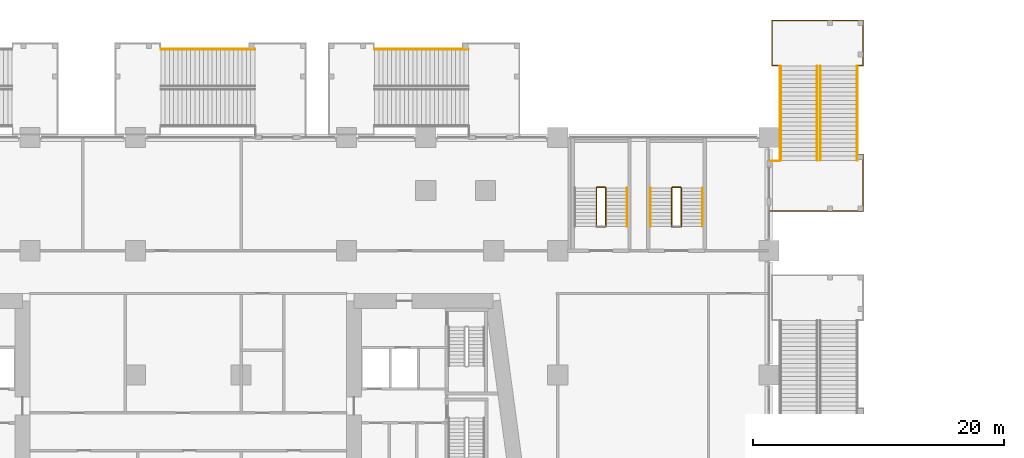
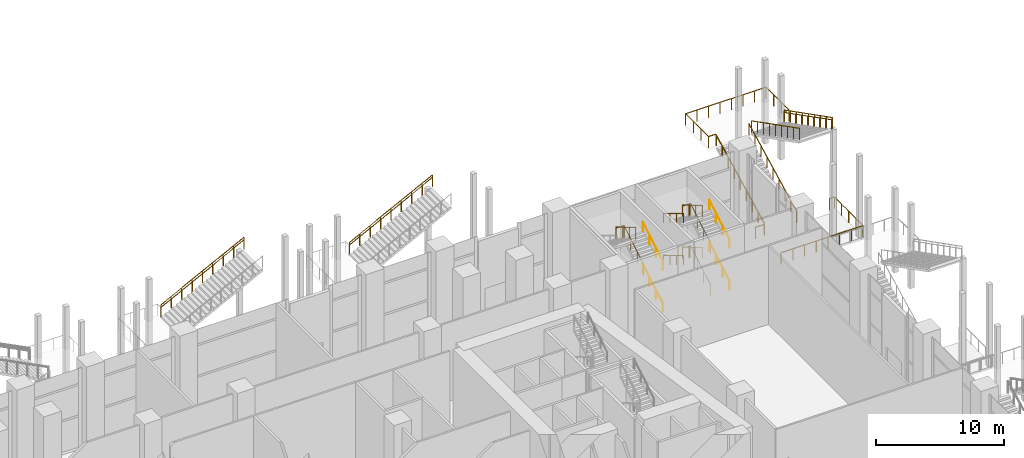
# One storey, part 49 of 52: 22 railings.
"""IFC4 building model written with IfcOpenShell, lengths in metres."""

from ifc_helpers import new_model, si_unit, direction, frame, origin, origin_2d, place, context, subcontext, project, spatial, circle, extrude, material, type_object, element, save


model = new_model("IFC4")

# Units and contexts
model_context = context("Model", 3, precision=1e-05, world=origin(), true_north=direction((0.0, 1.0)))
body_context = subcontext(model_context, "Body", "Model", "MODEL_VIEW")
ifc_project = project(units=[si_unit("LENGTHUNIT", "METRE"), si_unit("AREAUNIT", "SQUARE_METRE"), si_unit("VOLUMEUNIT", "CUBIC_METRE"), si_unit("PLANEANGLEUNIT", "RADIAN"), si_unit("MASSUNIT", "GRAM", prefix="KILO")], contexts=[model_context])

# Site, building, storey
site_placement = place(None, origin())
site = spatial("IfcSite", under=ifc_project, at=site_placement, CompositionType="ELEMENT")
building_placement = place(site_placement, origin())
building = spatial("IfcBuilding", under=site, at=building_placement, Name="Candeia Pilgrim Tower and Theatre", CompositionType="ELEMENT")
storey_placement = place(building_placement, frame((0.0, 0.0, 9.0)))
storey = spatial("IfcBuildingStorey", under=building, at=storey_placement, Name="L01", CompositionType="ELEMENT", Elevation=9.0)

# Railings
ifc_material_1 = material(Name="Stainless steel balustrade", Category="steel")
railing_type_1 = type_object("IfcRailingType", Name="RL-GUARD-1100", PredefinedType="GUARDRAIL", material=ifc_material_1)
railing_1_placement = place(storey_placement, frame((146.625, 137.72509765625, 4.166748046875)))
element("IfcRailing", 1, at=railing_1_placement, inside=storey, type_object=railing_type_1, Name="L01 PS3 stair guard 3", PredefinedType="GUARDRAIL", context=body_context, shape_type="SweptSolid", body=[
    extrude(circle(Radius=0.02392578125, at=origin_2d()), frame((0.0, 0.0, 1.076171875), z_axis=(0.0, 0.859290745958, 0.51148745235), x_axis=(-1.0, 0.0, 0.0)), (0.0, 0.0, 1.0), 3.584228515625),
    extrude(circle(Radius=0.02392578125, at=origin_2d()), frame((0.0, 3.079833984375, 2.9091796875), z_axis=(-0.707106781187, 0.707106781187, 0.0), x_axis=(-0.707106781187, -0.707106781187, 0.0)), (0.0, 0.0, 1.0), 0.07080078125),
    extrude(circle(Radius=0.02392578125, at=origin_2d()), frame((-0.050048828125, 3.1298828125, 2.9091796875), z_axis=(-1.0, 0.0, 0.0), x_axis=(0.0, -1.0, 0.0)), (0.0, 0.0, 1.0), 0.64990234375),
    extrude(circle(Radius=0.02392578125, at=origin_2d()), frame((-0.699951171875, 3.1298828125, 2.9091796875), z_axis=(-0.27628659633, -0.27628659633, 0.920506074601), x_axis=(0.707106781187, -0.707106781187, 0.0)), (0.0, 0.0, 1.0), 0.18115234375),
    extrude(circle(Radius=0.02392578125, at=origin_2d()), frame((-0.75, 3.079833984375, 3.076171875), z_axis=(0.0, -0.859290745958, 0.51148745235), x_axis=(1.0, 0.0, 0.0)), (0.0, 0.0, 1.0), 3.584228515625),
    extrude(circle(Radius=0.02099609375, at=origin_2d()), origin(), (0.0, 0.0, 1.0), 1.052001953125),
    extrude(circle(Radius=0.02099609375, at=origin_2d()), frame((0.0, 1.026611328125, 0.611083984375)), (0.0, 0.0, 1.0), 1.052001953125),
    extrude(circle(Radius=0.02099609375, at=origin_2d()), frame((0.0, 2.05322265625, 1.22216796875)), (0.0, 0.0, 1.0), 1.052001953125),
    extrude(circle(Radius=0.02099609375, at=origin_2d()), frame((0.0, 3.079833984375, 1.833251953125)), (0.0, 0.0, 1.0), 1.052001953125),
    extrude(circle(Radius=0.02099609375, at=origin_2d()), frame((-0.050048828125, 3.1298828125, 1.833251953125)), (0.0, 0.0, 1.0), 1.052001953125),
    extrude(circle(Radius=0.02099609375, at=origin_2d()), frame((-0.699951171875, 3.1298828125, 1.833251953125)), (0.0, 0.0, 1.0), 1.052001953125),
    extrude(circle(Radius=0.02099609375, at=origin_2d()), frame((-0.75, 3.079833984375, 2.0)), (0.0, 0.0, 1.0), 1.052001953125),
    extrude(circle(Radius=0.02099609375, at=origin_2d()), frame((-0.75, 2.05322265625, 2.611083984375)), (0.0, 0.0, 1.0), 1.052001953125),
    extrude(circle(Radius=0.02099609375, at=origin_2d()), frame((-0.75, 1.026611328125, 3.22216796875)), (0.0, 0.0, 1.0), 1.052001953125),
    extrude(circle(Radius=0.02099609375, at=origin_2d()), frame((-0.75, 0.0, 3.833251953125)), (0.0, 0.0, 1.0), 1.052001953125),
])
railing_2_placement = place(storey_placement, frame((152.625, 137.72509765625, 0.166748046875)))
element("IfcRailing", 2, at=railing_2_placement, inside=storey, type_object=railing_type_1, Name="L01 PS4 stair guard 1", PredefinedType="GUARDRAIL", context=body_context, shape_type="SweptSolid", body=[
    extrude(circle(Radius=0.02392578125, at=origin_2d()), frame((0.0, 0.0, 1.076171875), z_axis=(0.0, 0.859290745958, 0.51148745235), x_axis=(-1.0, 0.0, 0.0)), (0.0, 0.0, 1.0), 3.584228515625),
    extrude(circle(Radius=0.02392578125, at=origin_2d()), frame((0.0, 3.079833984375, 2.9091796875), z_axis=(-0.707106781187, 0.707106781187, 0.0), x_axis=(-0.707106781187, -0.707106781187, 0.0)), (0.0, 0.0, 1.0), 0.07080078125),
    extrude(circle(Radius=0.02392578125, at=origin_2d()), frame((-0.050048828125, 3.1298828125, 2.9091796875), z_axis=(-1.0, 0.0, 0.0), x_axis=(0.0, -1.0, 0.0)), (0.0, 0.0, 1.0), 0.64990234375),
    extrude(circle(Radius=0.02392578125, at=origin_2d()), frame((-0.699951171875, 3.1298828125, 2.9091796875), z_axis=(-0.27628659633, -0.27628659633, 0.920506074601), x_axis=(0.707106781187, -0.707106781187, 0.0)), (0.0, 0.0, 1.0), 0.18115234375),
    extrude(circle(Radius=0.02392578125, at=origin_2d()), frame((-0.75, 3.079833984375, 3.076171875), z_axis=(0.0, -0.859290745958, 0.51148745235), x_axis=(1.0, 0.0, 0.0)), (0.0, 0.0, 1.0), 3.584228515625),
    extrude(circle(Radius=0.02099609375, at=origin_2d()), origin(), (0.0, 0.0, 1.0), 1.052001953125),
    extrude(circle(Radius=0.02099609375, at=origin_2d()), frame((0.0, 1.026611328125, 0.611083984375)), (0.0, 0.0, 1.0), 1.052001953125),
    extrude(circle(Radius=0.02099609375, at=origin_2d()), frame((0.0, 2.05322265625, 1.22216796875)), (0.0, 0.0, 1.0), 1.052001953125),
    extrude(circle(Radius=0.02099609375, at=origin_2d()), frame((0.0, 3.079833984375, 1.833251953125)), (0.0, 0.0, 1.0), 1.052001953125),
    extrude(circle(Radius=0.02099609375, at=origin_2d()), frame((-0.050048828125, 3.1298828125, 1.833251953125)), (0.0, 0.0, 1.0), 1.052001953125),
    extrude(circle(Radius=0.02099609375, at=origin_2d()), frame((-0.699951171875, 3.1298828125, 1.833251953125)), (0.0, 0.0, 1.0), 1.052001953125),
    extrude(circle(Radius=0.02099609375, at=origin_2d()), frame((-0.75, 3.079833984375, 2.0)), (0.0, 0.0, 1.0), 1.052001953125),
    extrude(circle(Radius=0.02099609375, at=origin_2d()), frame((-0.75, 2.05322265625, 2.611083984375)), (0.0, 0.0, 1.0), 1.052001953125),
    extrude(circle(Radius=0.02099609375, at=origin_2d()), frame((-0.75, 1.026611328125, 3.22216796875)), (0.0, 0.0, 1.0), 1.052001953125),
    extrude(circle(Radius=0.02099609375, at=origin_2d()), frame((-0.75, 0.0, 3.833251953125)), (0.0, 0.0, 1.0), 1.052001953125),
])
railing_3_placement = place(storey_placement, frame((152.625, 137.72509765625, 4.166748046875)))
element("IfcRailing", 3, at=railing_3_placement, inside=storey, type_object=railing_type_1, Name="L01 PS4 stair guard 3", PredefinedType="GUARDRAIL", context=body_context, shape_type="SweptSolid", body=[
    extrude(circle(Radius=0.02392578125, at=origin_2d()), frame((0.0, 0.0, 1.076171875), z_axis=(0.0, 0.859290745958, 0.51148745235), x_axis=(-1.0, 0.0, 0.0)), (0.0, 0.0, 1.0), 3.584228515625),
    extrude(circle(Radius=0.02392578125, at=origin_2d()), frame((0.0, 3.079833984375, 2.9091796875), z_axis=(-0.707106781187, 0.707106781187, 0.0), x_axis=(-0.707106781187, -0.707106781187, 0.0)), (0.0, 0.0, 1.0), 0.07080078125),
    extrude(circle(Radius=0.02392578125, at=origin_2d()), frame((-0.050048828125, 3.1298828125, 2.9091796875), z_axis=(-1.0, 0.0, 0.0), x_axis=(0.0, -1.0, 0.0)), (0.0, 0.0, 1.0), 0.64990234375),
    extrude(circle(Radius=0.02392578125, at=origin_2d()), frame((-0.699951171875, 3.1298828125, 2.9091796875), z_axis=(-0.27628659633, -0.27628659633, 0.920506074601), x_axis=(0.707106781187, -0.707106781187, 0.0)), (0.0, 0.0, 1.0), 0.18115234375),
    extrude(circle(Radius=0.02392578125, at=origin_2d()), frame((-0.75, 3.079833984375, 3.076171875), z_axis=(0.0, -0.859290745958, 0.51148745235), x_axis=(1.0, 0.0, 0.0)), (0.0, 0.0, 1.0), 3.584228515625),
    extrude(circle(Radius=0.02099609375, at=origin_2d()), origin(), (0.0, 0.0, 1.0), 1.052001953125),
    extrude(circle(Radius=0.02099609375, at=origin_2d()), frame((0.0, 1.026611328125, 0.611083984375)), (0.0, 0.0, 1.0), 1.052001953125),
    extrude(circle(Radius=0.02099609375, at=origin_2d()), frame((0.0, 2.05322265625, 1.22216796875)), (0.0, 0.0, 1.0), 1.052001953125),
    extrude(circle(Radius=0.02099609375, at=origin_2d()), frame((0.0, 3.079833984375, 1.833251953125)), (0.0, 0.0, 1.0), 1.052001953125),
    extrude(circle(Radius=0.02099609375, at=origin_2d()), frame((-0.050048828125, 3.1298828125, 1.833251953125)), (0.0, 0.0, 1.0), 1.052001953125),
    extrude(circle(Radius=0.02099609375, at=origin_2d()), frame((-0.699951171875, 3.1298828125, 1.833251953125)), (0.0, 0.0, 1.0), 1.052001953125),
    extrude(circle(Radius=0.02099609375, at=origin_2d()), frame((-0.75, 3.079833984375, 2.0)), (0.0, 0.0, 1.0), 1.052001953125),
    extrude(circle(Radius=0.02099609375, at=origin_2d()), frame((-0.75, 2.05322265625, 2.611083984375)), (0.0, 0.0, 1.0), 1.052001953125),
    extrude(circle(Radius=0.02099609375, at=origin_2d()), frame((-0.75, 1.026611328125, 3.22216796875)), (0.0, 0.0, 1.0), 1.052001953125),
    extrude(circle(Radius=0.02099609375, at=origin_2d()), frame((-0.75, 0.0, 3.833251953125)), (0.0, 0.0, 1.0), 1.052001953125),
])
railing_4_placement = place(storey_placement, frame((163.449951171875, 143.0, 0.173828125)))
element("IfcRailing", 4, at=railing_4_placement, inside=storey, type_object=railing_type_1, Name="L01 ES2 stair guard 1", PredefinedType="GUARDRAIL", context=body_context, shape_type="SweptSolid", body=[
    extrude(circle(Radius=0.02392578125, at=origin_2d()), frame((0.0, 0.0, 1.076171875), z_axis=(0.0, 0.890286522184, 0.455400821714), x_axis=(-1.0, 0.0, 0.0)), (0.0, 0.0, 1.0), 8.40185546875),
    extrude(circle(Radius=0.02099609375, at=origin_2d()), origin(), (0.0, 0.0, 1.0), 1.052001953125),
    extrude(circle(Radius=0.02099609375, at=origin_2d()), frame((0.0, 0.93505859375, 0.478271484375)), (0.0, 0.0, 1.0), 1.052001953125),
    extrude(circle(Radius=0.02099609375, at=origin_2d()), frame((0.0, 1.8701171875, 0.95654296875)), (0.0, 0.0, 1.0), 1.052001953125),
    extrude(circle(Radius=0.02099609375, at=origin_2d()), frame((0.0, 2.804931640625, 1.434814453125)), (0.0, 0.0, 1.0), 1.052001953125),
    extrude(circle(Radius=0.02099609375, at=origin_2d()), frame((0.0, 3.739990234375, 1.9130859375)), (0.0, 0.0, 1.0), 1.052001953125),
    extrude(circle(Radius=0.02099609375, at=origin_2d()), frame((0.0, 4.675048828125, 2.391357421875)), (0.0, 0.0, 1.0), 1.052001953125),
    extrude(circle(Radius=0.02099609375, at=origin_2d()), frame((0.0, 5.60986328125, 2.86962890625)), (0.0, 0.0, 1.0), 1.052001953125),
    extrude(circle(Radius=0.02099609375, at=origin_2d()), frame((0.0, 6.544921875, 3.347900390625)), (0.0, 0.0, 1.0), 1.052001953125),
    extrude(circle(Radius=0.02099609375, at=origin_2d()), frame((0.0, 7.47998046875, 3.826171875)), (0.0, 0.0, 1.0), 1.052001953125),
])
railing_5_placement = place(storey_placement, frame((163.699951171875, 150.47998046875, 4.173828125)))
element("IfcRailing", 5, at=railing_5_placement, inside=storey, type_object=railing_type_1, Name="L01 ES2 stair guard 2", PredefinedType="GUARDRAIL", context=body_context, shape_type="SweptSolid", body=[
    extrude(circle(Radius=0.02392578125, at=origin_2d()), frame((0.0, 0.0, 1.076171875), z_axis=(0.0, -0.890286522184, 0.455400821714), x_axis=(1.0, 0.0, 0.0)), (0.0, 0.0, 1.0), 8.40185546875),
    extrude(circle(Radius=0.02099609375, at=origin_2d()), origin(), (0.0, 0.0, 1.0), 1.052001953125),
    extrude(circle(Radius=0.02099609375, at=origin_2d()), frame((0.0, -0.93505859375, 0.478271484375)), (0.0, 0.0, 1.0), 1.052001953125),
    extrude(circle(Radius=0.02099609375, at=origin_2d()), frame((0.0, -1.8701171875, 0.95654296875)), (0.0, 0.0, 1.0), 1.052001953125),
    extrude(circle(Radius=0.02099609375, at=origin_2d()), frame((0.0, -2.804931640625, 1.434814453125)), (0.0, 0.0, 1.0), 1.052001953125),
    extrude(circle(Radius=0.02099609375, at=origin_2d()), frame((0.0, -3.739990234375, 1.9130859375)), (0.0, 0.0, 1.0), 1.052001953125),
    extrude(circle(Radius=0.02099609375, at=origin_2d()), frame((0.0, -4.675048828125, 2.391357421875)), (0.0, 0.0, 1.0), 1.052001953125),
    extrude(circle(Radius=0.02099609375, at=origin_2d()), frame((0.0, -5.60986328125, 2.86962890625)), (0.0, 0.0, 1.0), 1.052001953125),
    extrude(circle(Radius=0.02099609375, at=origin_2d()), frame((0.0, -6.544921875, 3.347900390625)), (0.0, 0.0, 1.0), 1.052001953125),
    extrude(circle(Radius=0.02099609375, at=origin_2d()), frame((0.0, -7.47998046875, 3.826171875)), (0.0, 0.0, 1.0), 1.052001953125),
])
railing_6_placement = place(storey_placement, frame((160.5, 143.0, 0.173828125)))
element("IfcRailing", 6, at=railing_6_placement, inside=storey, type_object=railing_type_1, Name="L01 ES2 stair guard 3", PredefinedType="GUARDRAIL", context=body_context, shape_type="SweptSolid", body=[
    extrude(circle(Radius=0.02392578125, at=origin_2d()), frame((0.0, 0.0, 1.076171875), z_axis=(0.0, 0.890286522184, 0.455400821714), x_axis=(-1.0, 0.0, 0.0)), (0.0, 0.0, 1.0), 8.40185546875),
    extrude(circle(Radius=0.02099609375, at=origin_2d()), origin(), (0.0, 0.0, 1.0), 1.052001953125),
    extrude(circle(Radius=0.02099609375, at=origin_2d()), frame((0.0, 0.93505859375, 0.478271484375)), (0.0, 0.0, 1.0), 1.052001953125),
    extrude(circle(Radius=0.02099609375, at=origin_2d()), frame((0.0, 1.8701171875, 0.95654296875)), (0.0, 0.0, 1.0), 1.052001953125),
    extrude(circle(Radius=0.02099609375, at=origin_2d()), frame((0.0, 2.804931640625, 1.434814453125)), (0.0, 0.0, 1.0), 1.052001953125),
    extrude(circle(Radius=0.02099609375, at=origin_2d()), frame((0.0, 3.739990234375, 1.9130859375)), (0.0, 0.0, 1.0), 1.052001953125),
    extrude(circle(Radius=0.02099609375, at=origin_2d()), frame((0.0, 4.675048828125, 2.391357421875)), (0.0, 0.0, 1.0), 1.052001953125),
    extrude(circle(Radius=0.02099609375, at=origin_2d()), frame((0.0, 5.60986328125, 2.86962890625)), (0.0, 0.0, 1.0), 1.052001953125),
    extrude(circle(Radius=0.02099609375, at=origin_2d()), frame((0.0, 6.544921875, 3.347900390625)), (0.0, 0.0, 1.0), 1.052001953125),
    extrude(circle(Radius=0.02099609375, at=origin_2d()), frame((0.0, 7.47998046875, 3.826171875)), (0.0, 0.0, 1.0), 1.052001953125),
])
railing_7_placement = place(storey_placement, frame((166.64990234375, 150.47998046875, 4.173828125)))
element("IfcRailing", 7, at=railing_7_placement, inside=storey, type_object=railing_type_1, Name="L01 ES2 stair guard 4", PredefinedType="GUARDRAIL", context=body_context, shape_type="SweptSolid", body=[
    extrude(circle(Radius=0.02392578125, at=origin_2d()), frame((0.0, 0.0, 1.076171875), z_axis=(0.0, -0.890286522184, 0.455400821714), x_axis=(1.0, 0.0, 0.0)), (0.0, 0.0, 1.0), 8.40185546875),
    extrude(circle(Radius=0.02099609375, at=origin_2d()), origin(), (0.0, 0.0, 1.0), 1.052001953125),
    extrude(circle(Radius=0.02099609375, at=origin_2d()), frame((0.0, -0.93505859375, 0.478271484375)), (0.0, 0.0, 1.0), 1.052001953125),
    extrude(circle(Radius=0.02099609375, at=origin_2d()), frame((0.0, -1.8701171875, 0.95654296875)), (0.0, 0.0, 1.0), 1.052001953125),
    extrude(circle(Radius=0.02099609375, at=origin_2d()), frame((0.0, -2.804931640625, 1.434814453125)), (0.0, 0.0, 1.0), 1.052001953125),
    extrude(circle(Radius=0.02099609375, at=origin_2d()), frame((0.0, -3.739990234375, 1.9130859375)), (0.0, 0.0, 1.0), 1.052001953125),
    extrude(circle(Radius=0.02099609375, at=origin_2d()), frame((0.0, -4.675048828125, 2.391357421875)), (0.0, 0.0, 1.0), 1.052001953125),
    extrude(circle(Radius=0.02099609375, at=origin_2d()), frame((0.0, -5.60986328125, 2.86962890625)), (0.0, 0.0, 1.0), 1.052001953125),
    extrude(circle(Radius=0.02099609375, at=origin_2d()), frame((0.0, -6.544921875, 3.347900390625)), (0.0, 0.0, 1.0), 1.052001953125),
    extrude(circle(Radius=0.02099609375, at=origin_2d()), frame((0.0, -7.47998046875, 3.826171875)), (0.0, 0.0, 1.0), 1.052001953125),
])
railing_8_placement = place(storey_placement, frame((160.5, 150.530029296875, 4.0)))
element("IfcRailing", 8, at=railing_8_placement, inside=storey, type_object=railing_type_1, Name="L01 ES2 stair guard 5", PredefinedType="GUARDRAIL", context=body_context, shape_type="SweptSolid", body=[
    extrude(circle(Radius=0.02392578125, at=origin_2d()), frame((0.0, 0.0, 1.076171875), z_axis=(-1.0, 0.0, 0.0), x_axis=(0.0, -1.0, 0.0)), (0.0, 0.0, 1.0), 0.64990234375),
    extrude(circle(Radius=0.02392578125, at=origin_2d()), frame((-0.64990234375, 0.0, 1.076171875), z_axis=(0.0, 1.0, 0.0), x_axis=(-1.0, 0.0, 0.0)), (0.0, 0.0, 1.0), 3.580078125),
    extrude(circle(Radius=0.02392578125, at=origin_2d()), frame((-0.64990234375, 3.580078125, 1.076171875), z_axis=(1.0, 0.0, 0.0), x_axis=(0.0, 1.0, 0.0)), (0.0, 0.0, 1.0), 7.25),
    extrude(circle(Radius=0.02392578125, at=origin_2d()), frame((6.60009765625, 3.580078125, 1.076171875), z_axis=(0.0, -1.0, 0.0), x_axis=(1.0, 0.0, 0.0)), (0.0, 0.0, 1.0), 3.580078125),
    extrude(circle(Radius=0.02392578125, at=origin_2d()), frame((6.60009765625, 0.0, 1.076171875), z_axis=(-1.0, 0.0, 0.0), x_axis=(0.0, -1.0, 0.0)), (0.0, 0.0, 1.0), 0.4501953125),
    extrude(circle(Radius=0.02099609375, at=origin_2d()), origin(), (0.0, 0.0, 1.0), 1.052001953125),
    extrude(circle(Radius=0.02099609375, at=origin_2d()), frame((-0.64990234375, 0.0, 0.0)), (0.0, 0.0, 1.0), 1.052001953125),
    extrude(circle(Radius=0.02099609375, at=origin_2d()), frame((-0.64990234375, 1.193359375, 0.0)), (0.0, 0.0, 1.0), 1.052001953125),
    extrude(circle(Radius=0.02099609375, at=origin_2d()), frame((-0.64990234375, 2.38671875, 0.0)), (0.0, 0.0, 1.0), 1.052001953125),
    extrude(circle(Radius=0.02099609375, at=origin_2d()), frame((-0.64990234375, 3.580078125, 0.0)), (0.0, 0.0, 1.0), 1.052001953125),
    extrude(circle(Radius=0.02099609375, at=origin_2d()), frame((0.3857421875, 3.580078125, 0.0)), (0.0, 0.0, 1.0), 1.052001953125),
    extrude(circle(Radius=0.02099609375, at=origin_2d()), frame((1.421630859375, 3.580078125, 0.0)), (0.0, 0.0, 1.0), 1.052001953125),
    extrude(circle(Radius=0.02099609375, at=origin_2d()), frame((2.457275390625, 3.580078125, 0.0)), (0.0, 0.0, 1.0), 1.052001953125),
    extrude(circle(Radius=0.02099609375, at=origin_2d()), frame((3.492919921875, 3.580078125, 0.0)), (0.0, 0.0, 1.0), 1.052001953125),
    extrude(circle(Radius=0.02099609375, at=origin_2d()), frame((4.528564453125, 3.580078125, 0.0)), (0.0, 0.0, 1.0), 1.052001953125),
    extrude(circle(Radius=0.02099609375, at=origin_2d()), frame((5.564453125, 3.580078125, 0.0)), (0.0, 0.0, 1.0), 1.052001953125),
    extrude(circle(Radius=0.02099609375, at=origin_2d()), frame((6.60009765625, 3.580078125, 0.0)), (0.0, 0.0, 1.0), 1.052001953125),
    extrude(circle(Radius=0.02099609375, at=origin_2d()), frame((6.60009765625, 2.38671875, 0.0)), (0.0, 0.0, 1.0), 1.052001953125),
    extrude(circle(Radius=0.02099609375, at=origin_2d()), frame((6.60009765625, 1.193359375, 0.0)), (0.0, 0.0, 1.0), 1.052001953125),
    extrude(circle(Radius=0.02099609375, at=origin_2d()), frame((6.60009765625, 0.0, 0.0)), (0.0, 0.0, 1.0), 1.052001953125),
    extrude(circle(Radius=0.02099609375, at=origin_2d()), frame((6.14990234375, 0.0, 0.0)), (0.0, 0.0, 1.0), 1.052001953125),
])
railing_9_placement = place(storey_placement, frame((159.699951171875, 138.949951171875, 0.0)))
element("IfcRailing", 9, at=railing_9_placement, inside=storey, type_object=railing_type_1, Name="L01 External escape stair ES2 landing guard", PredefinedType="GUARDRAIL", context=body_context, shape_type="SweptSolid", body=[
    extrude(circle(Radius=0.02392578125, at=origin_2d()), frame((0.0, 0.0, 1.076171875), z_axis=(1.0, 0.0, 0.0), x_axis=(0.0, 1.0, 0.0)), (0.0, 0.0, 1.0), 7.400146484375),
    extrude(circle(Radius=0.02392578125, at=origin_2d()), frame((7.400146484375, 0.0, 1.076171875), z_axis=(0.0, 1.0, 0.0), x_axis=(-1.0, 0.0, 0.0)), (0.0, 0.0, 1.0), 4.5),
    extrude(circle(Radius=0.02392578125, at=origin_2d()), frame((7.400146484375, 4.5, 1.076171875), z_axis=(-1.0, 0.0, 0.0), x_axis=(0.0, -1.0, 0.0)), (0.0, 0.0, 1.0), 0.4501953125),
    extrude(circle(Radius=0.02099609375, at=origin_2d()), origin(), (0.0, 0.0, 1.0), 1.052001953125),
    extrude(circle(Radius=0.02099609375, at=origin_2d()), frame((1.05712890625, 0.0, 0.0)), (0.0, 0.0, 1.0), 1.052001953125),
    extrude(circle(Radius=0.02099609375, at=origin_2d()), frame((2.1142578125, 0.0, 0.0)), (0.0, 0.0, 1.0), 1.052001953125),
    extrude(circle(Radius=0.02099609375, at=origin_2d()), frame((3.17138671875, 0.0, 0.0)), (0.0, 0.0, 1.0), 1.052001953125),
    extrude(circle(Radius=0.02099609375, at=origin_2d()), frame((4.228759765625, 0.0, 0.0)), (0.0, 0.0, 1.0), 1.052001953125),
    extrude(circle(Radius=0.02099609375, at=origin_2d()), frame((5.285888671875, 0.0, 0.0)), (0.0, 0.0, 1.0), 1.052001953125),
    extrude(circle(Radius=0.02099609375, at=origin_2d()), frame((6.343017578125, 0.0, 0.0)), (0.0, 0.0, 1.0), 1.052001953125),
    extrude(circle(Radius=0.02099609375, at=origin_2d()), frame((7.400146484375, 0.0, 0.0)), (0.0, 0.0, 1.0), 1.052001953125),
    extrude(circle(Radius=0.02099609375, at=origin_2d()), frame((7.400146484375, 1.125, 0.0)), (0.0, 0.0, 1.0), 1.052001953125),
    extrude(circle(Radius=0.02099609375, at=origin_2d()), frame((7.400146484375, 2.25, 0.0)), (0.0, 0.0, 1.0), 1.052001953125),
    extrude(circle(Radius=0.02099609375, at=origin_2d()), frame((7.400146484375, 3.375, 0.0)), (0.0, 0.0, 1.0), 1.052001953125),
    extrude(circle(Radius=0.02099609375, at=origin_2d()), frame((7.400146484375, 4.5, 0.0)), (0.0, 0.0, 1.0), 1.052001953125),
    extrude(circle(Radius=0.02099609375, at=origin_2d()), frame((6.949951171875, 4.5, 0.0)), (0.0, 0.0, 1.0), 1.052001953125),
])
railing_10_placement = place(storey_placement, frame((159.699951171875, 142.949951171875, 0.0)))
element("IfcRailing", 10, at=railing_10_placement, inside=storey, type_object=railing_type_1, Name="L01 External escape stair ES2 bridge guard", PredefinedType="GUARDRAIL", context=body_context, shape_type="SweptSolid", body=[
    extrude(circle(Radius=0.02392578125, at=origin_2d()), frame((0.0, 0.0, 1.076171875), z_axis=(1.0, 0.0, 0.0), x_axis=(0.0, 1.0, 0.0)), (0.0, 0.0, 1.0), 0.800048828125),
    extrude(circle(Radius=0.02099609375, at=origin_2d()), origin(), (0.0, 0.0, 1.0), 1.052001953125),
    extrude(circle(Radius=0.02099609375, at=origin_2d()), frame((0.800048828125, 0.0, 0.0)), (0.0, 0.0, 1.0), 1.052001953125),
])
for number, where, name in (
    (11, (111.219970703125, 151.85009765625, 4.173828125), "L01 ES6 stair guard 4"),
    (12, (128.219970703125, 151.85009765625, 4.173828125), "L01 ES7 stair guard 4"),
):
    element("IfcRailing", number, at=place(storey_placement, frame(where)), inside=storey, type_object=railing_type_1, Name=name, PredefinedType="GUARDRAIL", context=body_context, shape_type="SweptSolid", body=[
        extrude(circle(Radius=0.02392578125, at=origin_2d()), frame((0.0, 0.0, 1.076171875), z_axis=(0.890286522184, 0.0, 0.455400821714), x_axis=(0.0, 1.0, 0.0)), (0.0, 0.0, 1.0), 8.40185546875),
        extrude(circle(Radius=0.02099609375, at=origin_2d()), origin(), (0.0, 0.0, 1.0), 1.052001953125),
        extrude(circle(Radius=0.02099609375, at=origin_2d()), frame((0.93505859375, 0.0, 0.478271484375)), (0.0, 0.0, 1.0), 1.052001953125),
        extrude(circle(Radius=0.02099609375, at=origin_2d()), frame((1.8701171875, 0.0, 0.95654296875)), (0.0, 0.0, 1.0), 1.052001953125),
        extrude(circle(Radius=0.02099609375, at=origin_2d()), frame((2.804931640625, 0.0, 1.434814453125)), (0.0, 0.0, 1.0), 1.052001953125),
        extrude(circle(Radius=0.02099609375, at=origin_2d()), frame((3.739990234375, 0.0, 1.9130859375)), (0.0, 0.0, 1.0), 1.052001953125),
        extrude(circle(Radius=0.02099609375, at=origin_2d()), frame((4.675048828125, 0.0, 2.391357421875)), (0.0, 0.0, 1.0), 1.052001953125),
        extrude(circle(Radius=0.02099609375, at=origin_2d()), frame((5.60986328125, 0.0, 2.86962890625)), (0.0, 0.0, 1.0), 1.052001953125),
        extrude(circle(Radius=0.02099609375, at=origin_2d()), frame((6.544921875, 0.0, 3.347900390625)), (0.0, 0.0, 1.0), 1.052001953125),
        extrude(circle(Radius=0.02099609375, at=origin_2d()), frame((7.47998046875, 0.0, 3.826171875)), (0.0, 0.0, 1.0), 1.052001953125),
    ])
ifc_material_2 = material(Name="Stainless steel handrail", Category="steel")
railing_type_2 = type_object("IfcRailingType", Name="RL-HANDRAIL-900", PredefinedType="HANDRAIL", material=ifc_material_2)
for number, where, name in (
    (13, (148.324951171875, 137.72509765625, 0.166748046875), "L01 PS3 stair handrail 1"),
    (14, (148.324951171875, 137.72509765625, 4.166748046875), "L01 PS3 stair handrail 3"),
    (15, (154.324951171875, 137.72509765625, 0.166748046875), "L01 PS4 stair handrail 1"),
):
    element("IfcRailing", number, at=place(storey_placement, frame(where)), inside=storey, type_object=railing_type_2, Name=name, PredefinedType="HANDRAIL", context=body_context, shape_type="SweptSolid", body=[
        extrude(circle(Radius=0.02392578125, at=origin_2d()), frame((0.0, 0.0, 0.8759765625), z_axis=(0.0, 0.859290745958, 0.51148745235), x_axis=(-1.0, 0.0, 0.0)), (0.0, 0.0, 1.0), 3.584228515625),
        extrude(circle(Radius=0.02099609375, at=origin_2d()), origin(), (0.0, 0.0, 1.0), 0.851806640625),
        extrude(circle(Radius=0.02099609375, at=origin_2d()), frame((0.0, 1.026611328125, 0.611083984375)), (0.0, 0.0, 1.0), 0.851806640625),
        extrude(circle(Radius=0.02099609375, at=origin_2d()), frame((0.0, 2.05322265625, 1.22216796875)), (0.0, 0.0, 1.0), 0.851806640625),
        extrude(circle(Radius=0.02099609375, at=origin_2d()), frame((0.0, 3.079833984375, 1.833251953125)), (0.0, 0.0, 1.0), 0.851806640625),
    ])
railing_11_placement = place(storey_placement, frame((150.175048828125, 140.804931640625, 2.166748046875)))
element("IfcRailing", 16, at=railing_11_placement, inside=storey, type_object=railing_type_2, Name="L01 PS4 stair handrail 2", PredefinedType="HANDRAIL", context=body_context, shape_type="SweptSolid", body=[
    extrude(circle(Radius=0.02392578125, at=origin_2d()), frame((0.0, 0.0, 0.8759765625), z_axis=(0.0, -0.859290745958, 0.51148745235), x_axis=(1.0, 0.0, 0.0)), (0.0, 0.0, 1.0), 3.584228515625),
    extrude(circle(Radius=0.02099609375, at=origin_2d()), origin(), (0.0, 0.0, 1.0), 0.851806640625),
    extrude(circle(Radius=0.02099609375, at=origin_2d()), frame((0.0, -1.026611328125, 0.611083984375)), (0.0, 0.0, 1.0), 0.851806640625),
    extrude(circle(Radius=0.02099609375, at=origin_2d()), frame((0.0, -2.05322265625, 1.22216796875)), (0.0, 0.0, 1.0), 0.851806640625),
    extrude(circle(Radius=0.02099609375, at=origin_2d()), frame((0.0, -3.079833984375, 1.833251953125)), (0.0, 0.0, 1.0), 0.851806640625),
])
railing_12_placement = place(storey_placement, frame((154.324951171875, 137.72509765625, 4.166748046875)))
element("IfcRailing", 17, at=railing_12_placement, inside=storey, type_object=railing_type_2, Name="L01 PS4 stair handrail 3", PredefinedType="HANDRAIL", context=body_context, shape_type="SweptSolid", body=[
    extrude(circle(Radius=0.02392578125, at=origin_2d()), frame((0.0, 0.0, 0.8759765625), z_axis=(0.0, 0.859290745958, 0.51148745235), x_axis=(-1.0, 0.0, 0.0)), (0.0, 0.0, 1.0), 3.584228515625),
    extrude(circle(Radius=0.02099609375, at=origin_2d()), origin(), (0.0, 0.0, 1.0), 0.851806640625),
    extrude(circle(Radius=0.02099609375, at=origin_2d()), frame((0.0, 1.026611328125, 0.611083984375)), (0.0, 0.0, 1.0), 0.851806640625),
    extrude(circle(Radius=0.02099609375, at=origin_2d()), frame((0.0, 2.05322265625, 1.22216796875)), (0.0, 0.0, 1.0), 0.851806640625),
    extrude(circle(Radius=0.02099609375, at=origin_2d()), frame((0.0, 3.079833984375, 1.833251953125)), (0.0, 0.0, 1.0), 0.851806640625),
])
railing_13_placement = place(storey_placement, frame((150.175048828125, 140.804931640625, 6.166748046875)))
element("IfcRailing", 18, at=railing_13_placement, inside=storey, type_object=railing_type_2, Name="L01 PS4 stair handrail 4", PredefinedType="HANDRAIL", context=body_context, shape_type="SweptSolid", body=[
    extrude(circle(Radius=0.02392578125, at=origin_2d()), frame((0.0, 0.0, 0.8759765625), z_axis=(0.0, -0.859290745958, 0.51148745235), x_axis=(1.0, 0.0, 0.0)), (0.0, 0.0, 1.0), 3.584228515625),
    extrude(circle(Radius=0.02099609375, at=origin_2d()), origin(), (0.0, 0.0, 1.0), 0.851806640625),
    extrude(circle(Radius=0.02099609375, at=origin_2d()), frame((0.0, -1.026611328125, 0.611083984375)), (0.0, 0.0, 1.0), 0.851806640625),
    extrude(circle(Radius=0.02099609375, at=origin_2d()), frame((0.0, -2.05322265625, 1.22216796875)), (0.0, 0.0, 1.0), 0.851806640625),
    extrude(circle(Radius=0.02099609375, at=origin_2d()), frame((0.0, -3.079833984375, 1.833251953125)), (0.0, 0.0, 1.0), 0.851806640625),
])
railing_14_placement = place(storey_placement, frame((160.550048828125, 143.0, 0.173828125)))
element("IfcRailing", 19, at=railing_14_placement, inside=storey, type_object=railing_type_2, Name="L01 ES2 stair handrail 1", PredefinedType="HANDRAIL", context=body_context, shape_type="SweptSolid", body=[
    extrude(circle(Radius=0.02392578125, at=origin_2d()), frame((0.0, 0.0, 0.8759765625), z_axis=(0.0, 0.890286522184, 0.455400821714), x_axis=(-1.0, 0.0, 0.0)), (0.0, 0.0, 1.0), 8.40185546875),
    extrude(circle(Radius=0.02099609375, at=origin_2d()), origin(), (0.0, 0.0, 1.0), 0.851806640625),
    extrude(circle(Radius=0.02099609375, at=origin_2d()), frame((0.0, 0.93505859375, 0.478271484375)), (0.0, 0.0, 1.0), 0.851806640625),
    extrude(circle(Radius=0.02099609375, at=origin_2d()), frame((0.0, 1.8701171875, 0.95654296875)), (0.0, 0.0, 1.0), 0.851806640625),
    extrude(circle(Radius=0.02099609375, at=origin_2d()), frame((0.0, 2.804931640625, 1.434814453125)), (0.0, 0.0, 1.0), 0.851806640625),
    extrude(circle(Radius=0.02099609375, at=origin_2d()), frame((0.0, 3.739990234375, 1.9130859375)), (0.0, 0.0, 1.0), 0.851806640625),
    extrude(circle(Radius=0.02099609375, at=origin_2d()), frame((0.0, 4.675048828125, 2.391357421875)), (0.0, 0.0, 1.0), 0.851806640625),
    extrude(circle(Radius=0.02099609375, at=origin_2d()), frame((0.0, 5.60986328125, 2.86962890625)), (0.0, 0.0, 1.0), 0.851806640625),
    extrude(circle(Radius=0.02099609375, at=origin_2d()), frame((0.0, 6.544921875, 3.347900390625)), (0.0, 0.0, 1.0), 0.851806640625),
    extrude(circle(Radius=0.02099609375, at=origin_2d()), frame((0.0, 7.47998046875, 3.826171875)), (0.0, 0.0, 1.0), 0.851806640625),
])
railing_15_placement = place(storey_placement, frame((166.60009765625, 150.47998046875, 4.173828125)))
element("IfcRailing", 20, at=railing_15_placement, inside=storey, type_object=railing_type_2, Name="L01 ES2 stair handrail 2", PredefinedType="HANDRAIL", context=body_context, shape_type="SweptSolid", body=[
    extrude(circle(Radius=0.02392578125, at=origin_2d()), frame((0.0, 0.0, 0.8759765625), z_axis=(0.0, -0.890286522184, 0.455400821714), x_axis=(1.0, 0.0, 0.0)), (0.0, 0.0, 1.0), 8.40185546875),
    extrude(circle(Radius=0.02099609375, at=origin_2d()), origin(), (0.0, 0.0, 1.0), 0.851806640625),
    extrude(circle(Radius=0.02099609375, at=origin_2d()), frame((0.0, -0.93505859375, 0.478271484375)), (0.0, 0.0, 1.0), 0.851806640625),
    extrude(circle(Radius=0.02099609375, at=origin_2d()), frame((0.0, -1.8701171875, 0.95654296875)), (0.0, 0.0, 1.0), 0.851806640625),
    extrude(circle(Radius=0.02099609375, at=origin_2d()), frame((0.0, -2.804931640625, 1.434814453125)), (0.0, 0.0, 1.0), 0.851806640625),
    extrude(circle(Radius=0.02099609375, at=origin_2d()), frame((0.0, -3.739990234375, 1.9130859375)), (0.0, 0.0, 1.0), 0.851806640625),
    extrude(circle(Radius=0.02099609375, at=origin_2d()), frame((0.0, -4.675048828125, 2.391357421875)), (0.0, 0.0, 1.0), 0.851806640625),
    extrude(circle(Radius=0.02099609375, at=origin_2d()), frame((0.0, -5.60986328125, 2.86962890625)), (0.0, 0.0, 1.0), 0.851806640625),
    extrude(circle(Radius=0.02099609375, at=origin_2d()), frame((0.0, -6.544921875, 3.347900390625)), (0.0, 0.0, 1.0), 0.851806640625),
    extrude(circle(Radius=0.02099609375, at=origin_2d()), frame((0.0, -7.47998046875, 3.826171875)), (0.0, 0.0, 1.0), 0.851806640625),
])
for number, where, name in (
    (21, (111.219970703125, 151.800048828125, 4.173828125), "L01 ES6 stair handrail 2"),
    (22, (128.219970703125, 151.800048828125, 4.173828125), "L01 ES7 stair handrail 2"),
):
    element("IfcRailing", number, at=place(storey_placement, frame(where)), inside=storey, type_object=railing_type_2, Name=name, PredefinedType="HANDRAIL", context=body_context, shape_type="SweptSolid", body=[
        extrude(circle(Radius=0.02392578125, at=origin_2d()), frame((0.0, 0.0, 0.8759765625), z_axis=(0.890286522184, 0.0, 0.455400821714), x_axis=(0.0, 1.0, 0.0)), (0.0, 0.0, 1.0), 8.40185546875),
        extrude(circle(Radius=0.02099609375, at=origin_2d()), origin(), (0.0, 0.0, 1.0), 0.851806640625),
        extrude(circle(Radius=0.02099609375, at=origin_2d()), frame((0.93505859375, 0.0, 0.478271484375)), (0.0, 0.0, 1.0), 0.851806640625),
        extrude(circle(Radius=0.02099609375, at=origin_2d()), frame((1.8701171875, 0.0, 0.95654296875)), (0.0, 0.0, 1.0), 0.851806640625),
        extrude(circle(Radius=0.02099609375, at=origin_2d()), frame((2.804931640625, 0.0, 1.434814453125)), (0.0, 0.0, 1.0), 0.851806640625),
        extrude(circle(Radius=0.02099609375, at=origin_2d()), frame((3.739990234375, 0.0, 1.9130859375)), (0.0, 0.0, 1.0), 0.851806640625),
        extrude(circle(Radius=0.02099609375, at=origin_2d()), frame((4.675048828125, 0.0, 2.391357421875)), (0.0, 0.0, 1.0), 0.851806640625),
        extrude(circle(Radius=0.02099609375, at=origin_2d()), frame((5.60986328125, 0.0, 2.86962890625)), (0.0, 0.0, 1.0), 0.851806640625),
        extrude(circle(Radius=0.02099609375, at=origin_2d()), frame((6.544921875, 0.0, 3.347900390625)), (0.0, 0.0, 1.0), 0.851806640625),
        extrude(circle(Radius=0.02099609375, at=origin_2d()), frame((7.47998046875, 0.0, 3.826171875)), (0.0, 0.0, 1.0), 0.851806640625),
    ])

save(model, "model.ifc")
